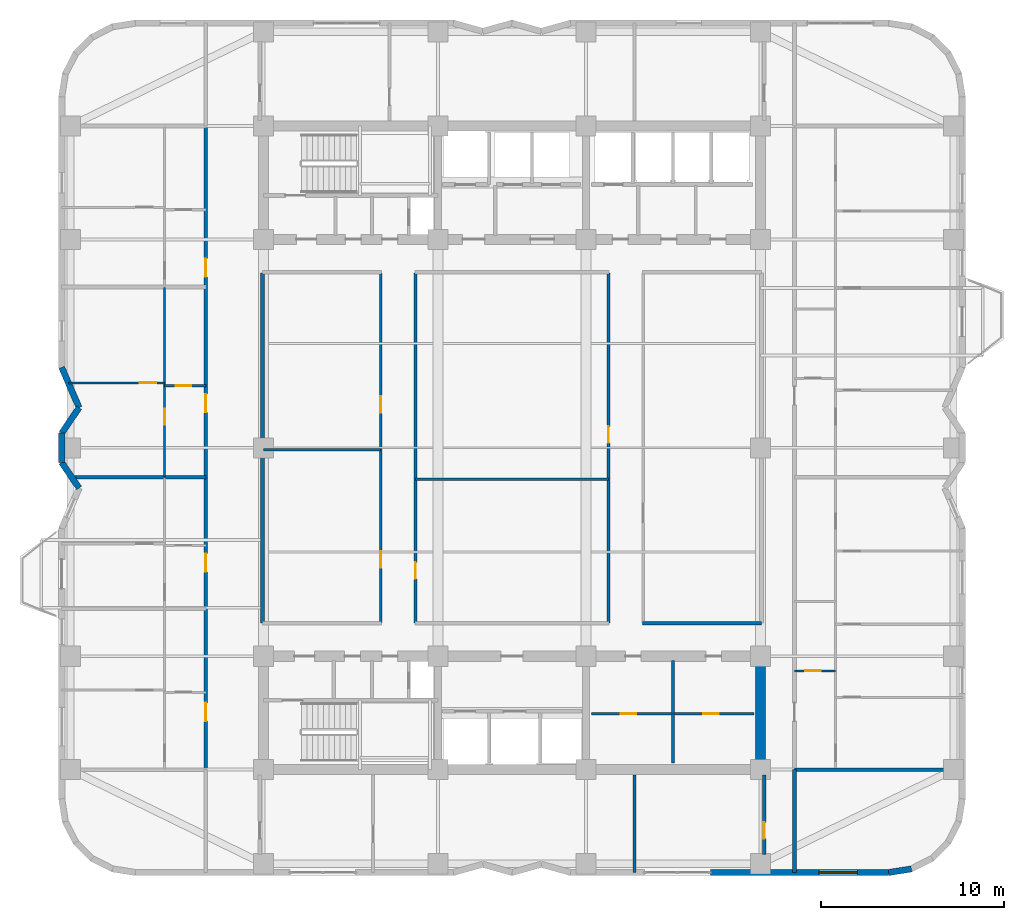
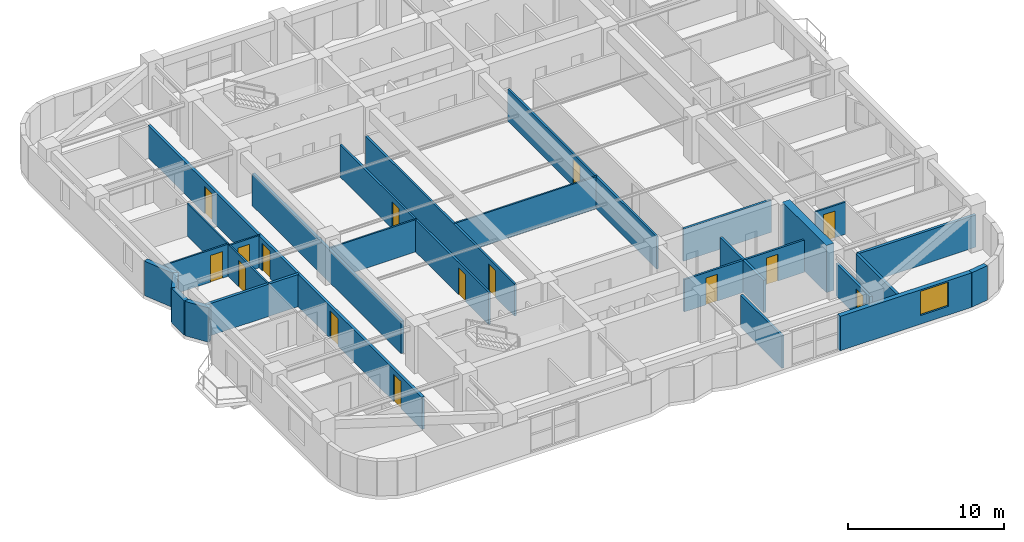
# One storey, part 9 of 15: 27 walls, 15 doors, 1 window, 16 openings.
"""IFC4 building model written with IfcOpenShell, lengths in metres."""

import ifcopenshell
import ifcopenshell.guid

model = None  # the IFC model being written
_history = None  # IfcOwnerHistory: only IFC2X3 demands one
_inside = {}  # id of a spatial element -> (the spatial element, [elements in it])
_under = {}  # id of a project, library or spatial element -> (it, [spatial elements below it])
_declared = {}  # id of a project -> (the project, [libraries it declares])
_typed = {}  # id of a type object -> (the type object, [elements of that type])
_made_of = {}  # id of a material, layer set ... -> (it, [elements and type objects made of it])


def new_model(schema):
    """Start an empty IFC model of exactly this schema.

    Asked for "IFC4X3", IfcOpenShell would pick the latest addendum, in which some entities
    have other attributes; the version numbers below select the first issue.
    IFC2X3 requires an IfcOwnerHistory on every rooted entity: one is made here for all.
    """
    global model, _history
    if schema == "IFC4X3":
        model = ifcopenshell.file(schema_version=(4, 3, 0, 0))
    else:
        model = ifcopenshell.file(schema=schema)
    _inside.clear()
    _under.clear()
    _declared.clear()
    _typed.clear()
    _made_of.clear()
    _history = None
    if model.schema == "IFC2X3":
        org = make("IfcOrganization", Name="unknown")
        user = make(
            "IfcPersonAndOrganization",
            ThePerson=make("IfcPerson", FamilyName="unknown"),
            TheOrganization=org,
        )
        app = make(
            "IfcApplication",
            ApplicationDeveloper=org,
            Version="unknown",
            ApplicationFullName="unknown",
            ApplicationIdentifier="unknown",
        )
        _history = make(
            "IfcOwnerHistory",
            OwningUser=user,
            OwningApplication=app,
            ChangeAction="ADDED",
            CreationDate=0,
        )
    return model


def make(cls, **values):
    """One entity of the class cls with the attributes given. An attribute that is None is left unset."""
    return model.create_entity(
        cls, **{name: value for name, value in values.items() if value is not None}
    )


def rooted(cls, **values):
    """An entity with a GlobalId (a new one), such as an element, a storey or a relation."""
    return make(cls, GlobalId=ifcopenshell.guid.new(), OwnerHistory=_history, **values)


def si_unit(unit_type, name, prefix=None):
    """IfcSIUnit, for example si_unit("LENGTHUNIT", "METRE", prefix="MILLI")."""
    return make("IfcSIUnit", UnitType=unit_type, Prefix=prefix, Name=name)


def assignment(units):
    """IfcUnitAssignment: the units of a project."""
    return None if units is None else make("IfcUnitAssignment", Units=units)


def point(xyz):
    """IfcCartesianPoint."""
    return None if xyz is None else make("IfcCartesianPoint", Coordinates=xyz)


def direction(xyz):
    """IfcDirection."""
    return None if xyz is None else make("IfcDirection", DirectionRatios=xyz)


def frame(location, z_axis=None, x_axis=None):
    """IfcAxis2Placement3D, a coordinate frame: its origin and axes. An axis left out is left unset."""
    return make(
        "IfcAxis2Placement3D",
        Location=point(location),
        Axis=direction(z_axis),
        RefDirection=direction(x_axis),
    )


def frame_2d(location, x_axis=None):
    """IfcAxis2Placement2D, a coordinate frame in the plane: its origin and x axis."""
    return make(
        "IfcAxis2Placement2D", Location=point(location), RefDirection=direction(x_axis)
    )


def origin():
    """The frame at (0, 0, 0) with its axes left unset."""
    return frame((0.0, 0.0, 0.0))


def place(relative_to, where):
    """IfcLocalPlacement: puts the frame where relative to a parent placement (None: the world)."""
    return make(
        "IfcLocalPlacement", PlacementRelTo=relative_to, RelativePlacement=where
    )


def context(
    kind, dimensions, precision=None, world=None, true_north=None, identifier=None
):
    """IfcGeometricRepresentationContext, for example the 3D "Model" context."""
    return make(
        "IfcGeometricRepresentationContext",
        ContextIdentifier=identifier,
        ContextType=kind,
        CoordinateSpaceDimension=dimensions,
        Precision=precision,
        WorldCoordinateSystem=world,
        TrueNorth=true_north,
    )


def subcontext(parent, identifier, kind, view, scale=None):
    """IfcGeometricRepresentationSubContext, for example "Body" below "Model"."""
    return make(
        "IfcGeometricRepresentationSubContext",
        ContextIdentifier=identifier,
        ContextType=kind,
        ParentContext=parent,
        TargetScale=scale,
        TargetView=view,
    )


def project(units=None, contexts=None):
    """IfcProject with its units and contexts."""
    return rooted(
        "IfcProject",
        Name="project",
        RepresentationContexts=contexts,
        UnitsInContext=assignment(units),
    )


def spatial(cls, under=None, at=None, **own):
    """A site, building, storey or space (cls), placed at a placement, below another one or the project."""
    s = rooted(cls, ObjectPlacement=at, **own)
    if under is not None:
        _under.setdefault(under.id(), (under, []))[1].append(s)
    return s


def profile(cls, at=None, kind="AREA", **sizes):
    """A parametric profile (cls). Its sizes go by their IFC names, for example OverallWidth=200.0."""
    return make(cls, ProfileType=kind, Position=at, **sizes)


def rectangle(**sizes):
    """IfcRectangleProfileDef."""
    return profile("IfcRectangleProfileDef", **sizes)


def extrude(swept, where, along, depth):
    """IfcExtrudedAreaSolid: the profile swept, set in the frame where, extruded along a direction by depth."""
    return make(
        "IfcExtrudedAreaSolid",
        SweptArea=swept,
        Position=where,
        ExtrudedDirection=direction(along),
        Depth=depth,
    )


def shape(context_of_items, identifier, shape_type, items):
    """IfcShapeRepresentation: the items that make up one representation, for example the "Body"."""
    return make(
        "IfcShapeRepresentation",
        ContextOfItems=context_of_items,
        RepresentationIdentifier=identifier,
        RepresentationType=shape_type,
        Items=items,
    )


def material(Name=None, Category=None):
    """IfcMaterial."""
    return make("IfcMaterial", Name=Name, Category=Category)


def layer(
    of_material, thickness, ventilated=None, Name=None, Category=None, Priority=None
):
    """IfcMaterialLayer: one layer of a wall or slab, of a material (None: an air gap)."""
    return make(
        "IfcMaterialLayer",
        Material=of_material,
        LayerThickness=thickness,
        IsVentilated=ventilated,
        Name=Name,
        Category=Category,
        Priority=Priority,
    )


def layer_set(layers, Name=None):
    """IfcMaterialLayerSet."""
    return make("IfcMaterialLayerSet", MaterialLayers=layers, LayerSetName=Name)


def made_of(thing, what):
    """Note that an element or type object is made of a material, layer set ...; save() writes the relation."""
    if what is not None:
        _made_of.setdefault(what.id(), (what, []))[1].append(thing)
    return thing


def type_object(cls, material=None, **own):
    """A type object (cls), such as IfcWallType, which elements share."""
    return made_of(rooted(cls, **own), material)


def element(
    cls,
    number,
    at=None,
    inside=None,
    cuts=None,
    type_object=None,
    material=None,
    context=None,
    identifier="Body",
    shape_type=None,
    held_by="IfcProductDefinitionShape",
    body=None,
    shapes=None,
    **own,
):
    """One element of the class cls, such as IfcWall. Its Tag is "e" and its number.

    at: its placement. inside: the storey or other place that contains it. cuts: it is an
    opening in that element (IfcRelVoidsElement). A single representation is given by context,
    identifier, shape_type and body (its items); several are given by shapes. held_by: the class
    of the entity that holds the representations. save() writes the other relations.
    """
    e = rooted(cls, Tag="e%d" % number, ObjectPlacement=at, **own)
    if body is not None:
        shapes = [shape(context, identifier, shape_type, body)]
    if shapes is not None:
        e.Representation = make(held_by, Representations=shapes)
    if inside is not None:
        _inside.setdefault(inside.id(), (inside, []))[1].append(e)
    if cuts is not None:
        rooted(
            "IfcRelVoidsElement", RelatingBuildingElement=cuts, RelatedOpeningElement=e
        )
    if type_object is not None:
        _typed.setdefault(type_object.id(), (type_object, []))[1].append(e)
    return made_of(e, material)


def fill(opening, filler):
    """IfcRelFillsElement: the door or window that sits in an opening."""
    return rooted(
        "IfcRelFillsElement",
        RelatingOpeningElement=opening,
        RelatedBuildingElement=filler,
    )


def aggregate(whole, parts):
    """IfcRelAggregates: a whole, such as a stair, and the parts it consists of."""
    return rooted("IfcRelAggregates", RelatingObject=whole, RelatedObjects=parts)


def save(model, path):
    """Write the relations noted so far, then the file.

    IfcRelAggregates (storeys below a building ...), IfcRelContainedInSpatialStructure (elements
    in a storey), IfcRelDefinesByType, IfcRelAssociatesMaterial and IfcRelDeclares: one each for
    every whole, place, type object, material and project.
    """
    for whole, parts in _under.values():
        aggregate(whole, parts)
    for where, things in _inside.values():
        rooted(
            "IfcRelContainedInSpatialStructure",
            RelatedElements=things,
            RelatingStructure=where,
        )
    for kind, things in _typed.values():
        rooted("IfcRelDefinesByType", RelatedObjects=things, RelatingType=kind)
    for what, things in _made_of.values():
        rooted("IfcRelAssociatesMaterial", RelatedObjects=things, RelatingMaterial=what)
    for by, libraries in _declared.values():
        rooted("IfcRelDeclares", RelatingContext=by, RelatedDefinitions=libraries)
    model.write(path)


model = new_model("IFC4")

# Units and contexts
model_context = context("Model", 3, precision=1e-05, world=origin(), true_north=direction((0.0, 1.0)))
body_context = subcontext(model_context, "Body", "Model", "MODEL_VIEW")
ifc_project = project(units=[si_unit("LENGTHUNIT", "METRE"), si_unit("AREAUNIT", "SQUARE_METRE"), si_unit("VOLUMEUNIT", "CUBIC_METRE"), si_unit("PLANEANGLEUNIT", "RADIAN"), si_unit("MASSUNIT", "GRAM", prefix="KILO")], contexts=[model_context])

# Site, building, storey
site_placement = place(None, origin())
site = spatial("IfcSite", under=ifc_project, at=site_placement, CompositionType="ELEMENT")
building_placement = place(site_placement, origin())
building = spatial("IfcBuilding", under=site, at=building_placement, Name="Svetorya Sky Lyceum", CompositionType="ELEMENT")
storey_placement = place(building_placement, frame((0.0, 0.0, 99.39990234375)))
storey = spatial("IfcBuildingStorey", under=building, at=storey_placement, Name="L24", CompositionType="ELEMENT", Elevation=99.39990234375)

# Wall
ifc_material_1 = material(Name="Concrete C60/75", Category="concrete")
ifc_layer_1 = layer(ifc_material_1, 0.550048828125)
ifc_layer_set_1 = layer_set([ifc_layer_1], Name="Concrete C60/75")
wall_type_1 = type_object("IfcWallType", Name="WL-CORE-550", PredefinedType="SHEAR", material=ifc_layer_set_1)
wall_1_placement = place(storey_placement, frame((52.800048828125, 10.875, 0.0), z_axis=(0.0, 0.0, 1.0), x_axis=(0.0, 1.0, 0.0)))
element("IfcWall", 1, at=wall_1_placement, inside=storey, type_object=wall_type_1, Name="L24 SC East Core Shear Wall", PredefinedType="SHEAR", context=body_context, shape_type="SweptSolid", body=[
    extrude(rectangle(XDim=5.64990234375, YDim=0.550048828125, at=frame_2d((2.824951171875, 0.0))), origin(), (0.0, 0.0, 1.0), 3.7001953125),
])

# Wall, opening, window
ifc_material_2 = material(Name="Putilovo limestone rainscreen on autoclaved cellular masonry", Category="masonry")
ifc_layer_2 = layer(ifc_material_2, 0.340087890625)
ifc_layer_set_2 = layer_set([ifc_layer_2], Name="Putilovo limestone rainscreen on autoclaved cellular masonry")
wall_type_2 = type_object("IfcWallType", Name="WL-EXT-340", PredefinedType="SOLIDWALL", material=ifc_layer_set_2)
wall_2_placement = place(storey_placement, frame((50.050048828125, 4.969970703125, 0.0), z_axis=(0.0, 0.0, 1.0), x_axis=(1.0, 0.0, 0.0)))
wall_2 = element("IfcWall", 2, at=wall_2_placement, inside=storey, type_object=wall_type_2, Name="L24 Limestone Exterior Wall 11B", PredefinedType="SOLIDWALL", context=body_context, shape_type="SweptSolid", body=[
    extrude(rectangle(XDim=9.75, YDim=0.340087890625, at=frame_2d((4.875, 0.0))), origin(), (0.0, 0.0, 1.0), 2.7001953125),
])
opening_1_placement = place(wall_2_placement, frame((5.9375, 0.0, 0.679931640625)))
opening_1 = element("IfcOpeningElement", 3, at=opening_1_placement, cuts=wall_2, Name="Opening W-R0", PredefinedType="OPENING", context=body_context, shape_type="SweptSolid", body=[
    extrude(rectangle(XDim=2.10009765625, YDim=1.89990234375, at=frame_2d((1.050048828125, 0.949951171875))), frame((0.0, 0.179931640625, 0.0), z_axis=(0.0, -1.0, 0.0), x_axis=(1.0, 0.0, 0.0)), (0.0, 0.0, 1.0), 0.360107421875),
])
ifc_material_3 = material(Name="Thermally broken aluminium frame with triple low-E glazing", Category="aluminium")
window_type = type_object("IfcWindowType", Name="WN-RES-210", PartitioningType="TRIPLE_PANEL_VERTICAL", PredefinedType="WINDOW", material=ifc_material_3)
window_placement = place(opening_1_placement, origin())
window = element("IfcWindow", 4, at=window_placement, inside=storey, type_object=window_type, Name="L24 Facade Window W-R0.11B.1", OverallHeight=1.89990234375, OverallWidth=2.10009765625, PartitioningType="SINGLE_PANEL", PredefinedType="WINDOW", context=body_context, shape_type="SweptSolid", body=[
    extrude(rectangle(XDim=2.10009765625, YDim=1.89990234375, at=frame_2d((1.050048828125, 0.949951171875))), frame((0.0, 0.030029296875, 0.0), z_axis=(0.0, -1.0, 0.0), x_axis=(1.0, 0.0, 0.0)), (0.0, 0.0, 1.0), 0.06005859375),
])
fill(opening_1, window)

# Walls
wall_3_placement = place(storey_placement, frame((59.800048828125, 4.969970703125, 0.0), z_axis=(0.0, 0.0, 1.0), x_axis=(0.987685918112, 0.15644975923, 0.0)))
element("IfcWall", 5, at=wall_3_placement, inside=storey, type_object=wall_type_2, Name="L24 Limestone Exterior Wall 12M", PredefinedType="SOLIDWALL", context=body_context, shape_type="SweptSolid", body=[
    extrude(rectangle(XDim=1.260986328125, YDim=0.340087890625, at=frame_2d((0.63037109375, 0.0))), origin(), (0.0, 0.0, 1.0), 2.7001953125),
])
wall_4_placement = place(storey_placement, frame((14.570068359375, 32.60009765625, 0.0), z_axis=(0.0, 0.0, 1.0), x_axis=(0.396389181543, -0.918082576218, 0.0)))
element("IfcWall", 6, at=wall_4_placement, inside=storey, type_object=wall_type_2, Name="L24 Limestone Exterior Wall 41M", PredefinedType="SOLIDWALL", context=body_context, shape_type="SweptSolid", body=[
    extrude(rectangle(XDim=2.396484375, YDim=0.340087890625, at=frame_2d((1.1982421875, 0.0))), origin(), (0.0, 0.0, 1.0), 2.7001953125),
])
wall_5_placement = place(storey_placement, frame((15.52001953125, 30.39990234375, 0.0), z_axis=(0.0, 0.0, 1.0), x_axis=(-0.561508476251, -0.827470985049, 0.0)))
element("IfcWall", 7, at=wall_5_placement, inside=storey, type_object=wall_type_2, Name="L24 Limestone Exterior Wall 42M", PredefinedType="SOLIDWALL", context=body_context, shape_type="SweptSolid", body=[
    extrude(rectangle(XDim=1.69189453125, YDim=0.340087890625, at=frame_2d((0.845947265625, 0.0))), origin(), (0.0, 0.0, 1.0), 2.7001953125),
])
wall_6_placement = place(storey_placement, frame((14.570068359375, 29.0, 0.0), z_axis=(0.0, 0.0, 1.0), x_axis=(0.0, -1.0, 0.0)))
element("IfcWall", 8, at=wall_6_placement, inside=storey, type_object=wall_type_2, Name="L24 Limestone Exterior Wall 43M", PredefinedType="SOLIDWALL", context=body_context, shape_type="SweptSolid", body=[
    extrude(rectangle(XDim=1.60009765625, YDim=0.340087890625, at=frame_2d((0.800048828125, 0.0))), origin(), (0.0, 0.0, 1.0), 2.7001953125),
])
wall_7_placement = place(storey_placement, frame((14.570068359375, 27.39990234375, 0.0), z_axis=(0.0, 0.0, 1.0), x_axis=(0.561508476251, -0.827470985049, 0.0)))
element("IfcWall", 9, at=wall_7_placement, inside=storey, type_object=wall_type_2, Name="L24 Limestone Exterior Wall 44M", PredefinedType="SOLIDWALL", context=body_context, shape_type="SweptSolid", body=[
    extrude(rectangle(XDim=1.69189453125, YDim=0.340087890625, at=frame_2d((0.845947265625, 0.0))), origin(), (0.0, 0.0, 1.0), 2.7001953125),
])
ifc_material_4 = material(Name="Twin-stud galvanized framing with double fireboard", Category="gypsum")
ifc_layer_3 = layer(ifc_material_4, 0.1201171875)
ifc_layer_set_3 = layer_set([ifc_layer_3], Name="Twin-stud galvanized framing with double fireboard")
wall_type_3 = type_object("IfcWallType", Name="WL-PART-120", PredefinedType="PARTITIONING", material=ifc_layer_set_3)
wall_8_placement = place(storey_placement, frame((25.60009765625, 28.10009765625, 0.0), z_axis=(0.0, 0.0, 1.0), x_axis=(1.0, 0.0, 0.0)))
element("IfcWall", 10, at=wall_8_placement, inside=storey, type_object=wall_type_3, Name="L24 Interior Partition ISL-HMW", PredefinedType="PARTITIONING", context=body_context, shape_type="SweptSolid", body=[
    extrude(rectangle(XDim=6.419921875, YDim=0.1201171875, at=frame_2d((3.2099609375, 0.0))), origin(), (0.0, 0.0, 1.0), 2.530029296875),
])
wall_9_placement = place(storey_placement, frame((33.919921875, 26.477294921875, 0.0), z_axis=(0.0, 0.0, 1.0), x_axis=(1.0, 0.0, 0.0)))
element("IfcWall", 11, at=wall_9_placement, inside=storey, type_object=wall_type_3, Name="L24 Interior Partition ISL-HMIDE", PredefinedType="PARTITIONING", context=body_context, shape_type="SweptSolid", body=[
    extrude(rectangle(XDim=10.56005859375, YDim=0.1201171875, at=frame_2d((5.280029296875, 0.0))), origin(), (0.0, 0.0, 1.0), 2.530029296875),
])

# Wall, opening, door
wall_10_placement = place(storey_placement, frame((20.199951171875, 31.590087890625, 0.0), z_axis=(0.0, 0.0, 1.0), x_axis=(1.0, 0.0, 0.0)))
wall_10 = element("IfcWall", 12, at=wall_10_placement, inside=storey, type_object=wall_type_3, Name="L24 Interior Partition W3-WH1", PredefinedType="PARTITIONING", context=body_context, shape_type="SweptSolid", body=[
    extrude(rectangle(XDim=2.25, YDim=0.1201171875, at=frame_2d((1.125, 0.0))), origin(), (0.0, 0.0, 1.0), 2.530029296875),
])
opening_2_placement = place(wall_10_placement, frame((0.60009765625, 0.0, 0.0)))
opening_2 = element("IfcOpeningElement", 13, at=opening_2_placement, cuts=wall_10, Name="Opening D-BT1", PredefinedType="OPENING", context=body_context, shape_type="SweptSolid", body=[
    extrude(rectangle(XDim=0.85009765625, YDim=2.10009765625, at=frame_2d((0.425048828125, 1.050048828125))), frame((0.0, 0.070068359375, 0.0), z_axis=(0.0, -1.0, 0.0), x_axis=(1.0, 0.0, 0.0)), (0.0, 0.0, 1.0), 0.14013671875),
])
ifc_material_5 = material(Name="Moisture-resistant laminate bathroom door")
door_type_1 = type_object("IfcDoorType", Name="DR-WET-850", OperationType="SINGLE_SWING_LEFT", PredefinedType="DOOR", material=ifc_material_5)
door_1_placement = place(opening_2_placement, origin())
door_1 = element("IfcDoor", 14, at=door_1_placement, inside=storey, type_object=door_type_1, Name="Apartment W3 Bathroom Door", OperationType="SINGLE_SWING_LEFT", OverallHeight=2.10009765625, OverallWidth=0.85009765625, PredefinedType="DOOR", context=body_context, shape_type="SweptSolid", body=[
    extrude(rectangle(XDim=0.85009765625, YDim=2.10009765625, at=frame_2d((0.425048828125, 1.050048828125))), frame((0.0, 0.02490234375, 0.0), z_axis=(0.0, -1.0, 0.0), x_axis=(1.0, 0.0, 0.0)), (0.0, 0.0, 1.0), 0.050048828125),
])
fill(opening_2, door_1)

wall_11_placement = place(storey_placement, frame((14.93701171875, 31.75, 0.0), z_axis=(0.0, 0.0, 1.0), x_axis=(1.0, 0.0, 0.0)))
wall_11 = element("IfcWall", 15, at=wall_11_placement, inside=storey, type_object=wall_type_3, Name="L24 Interior Partition W3-WL1", PredefinedType="PARTITIONING", context=body_context, shape_type="SweptSolid", body=[
    extrude(rectangle(XDim=5.262939453125, YDim=0.1201171875, at=frame_2d((2.63134765625, 0.0))), origin(), (0.0, 0.0, 1.0), 2.530029296875),
])
opening_3_placement = place(wall_11_placement, frame((3.9130859375, 0.0, 0.0)))
opening_3 = element("IfcOpeningElement", 16, at=opening_3_placement, cuts=wall_11, Name="Opening D-RM1", PredefinedType="OPENING", context=body_context, shape_type="SweptSolid", body=[
    extrude(rectangle(XDim=0.89990234375, YDim=2.10009765625, at=frame_2d((0.449951171875, 1.050048828125))), frame((0.0, 0.070068359375, 0.0), z_axis=(0.0, -1.0, 0.0), x_axis=(1.0, 0.0, 0.0)), (0.0, 0.0, 1.0), 0.14013671875),
])
ifc_material_6 = material(Name="Lacquered birch veneer internal door")
door_type_2 = type_object("IfcDoorType", Name="DR-INT-900", OperationType="SINGLE_SWING_LEFT", PredefinedType="DOOR", material=ifc_material_6)
door_2_placement = place(opening_3_placement, origin())
door_2 = element("IfcDoor", 17, at=door_2_placement, inside=storey, type_object=door_type_2, Name="Apartment W3 Bedroom 1 Door", OperationType="SINGLE_SWING_LEFT", OverallHeight=2.10009765625, OverallWidth=0.89990234375, PredefinedType="DOOR", context=body_context, shape_type="SweptSolid", body=[
    extrude(rectangle(XDim=0.89990234375, YDim=2.10009765625, at=frame_2d((0.449951171875, 1.050048828125))), frame((0.0, 0.02490234375, 0.0), z_axis=(0.0, -1.0, 0.0), x_axis=(1.0, 0.0, 0.0)), (0.0, 0.0, 1.0), 0.050048828125),
])
fill(opening_3, door_2)

wall_12_placement = place(storey_placement, frame((20.199951171875, 26.639892578125, 0.0), z_axis=(0.0, 0.0, 1.0), x_axis=(0.0, 1.0, 0.0)))
wall_12 = element("IfcWall", 18, at=wall_12_placement, inside=storey, type_object=wall_type_3, Name="L24 Interior Partition W3-WV", PredefinedType="PARTITIONING", context=body_context, shape_type="SweptSolid", body=[
    extrude(rectangle(XDim=10.320068359375, YDim=0.1201171875, at=frame_2d((5.16015625, 0.0))), origin(), (0.0, 0.0, 1.0), 2.530029296875),
])
opening_4_placement = place(wall_12_placement, frame((2.81005859375, 0.0, 0.0)))
opening_4 = element("IfcOpeningElement", 19, at=opening_4_placement, cuts=wall_12, Name="Opening D-RM1", PredefinedType="OPENING", context=body_context, shape_type="SweptSolid", body=[
    extrude(rectangle(XDim=0.89990234375, YDim=2.10009765625, at=frame_2d((0.449951171875, 1.050048828125))), frame((0.0, 0.070068359375, 0.0), z_axis=(0.0, -1.0, 0.0), x_axis=(1.0, 0.0, 0.0)), (0.0, 0.0, 1.0), 0.14013671875),
])
door_3_placement = place(opening_4_placement, origin())
door_3 = element("IfcDoor", 20, at=door_3_placement, inside=storey, type_object=door_type_2, Name="Apartment W3 Living Door", OperationType="SINGLE_SWING_RIGHT", OverallHeight=2.10009765625, OverallWidth=0.89990234375, PredefinedType="DOOR", context=body_context, shape_type="SweptSolid", body=[
    extrude(rectangle(XDim=0.89990234375, YDim=2.10009765625, at=frame_2d((0.449951171875, 1.050048828125))), frame((0.0, 0.02490234375, 0.0), z_axis=(0.0, -1.0, 0.0), x_axis=(1.0, 0.0, 0.0)), (0.0, 0.0, 1.0), 0.050048828125),
])
fill(opening_4, door_3)

wall_13_placement = place(storey_placement, frame((54.64990234375, 16.0, 0.0), z_axis=(0.0, 0.0, 1.0), x_axis=(1.0, 0.0, 0.0)))
wall_13 = element("IfcWall", 21, at=wall_13_placement, inside=storey, type_object=wall_type_3, Name="L24 Interior Partition E1-WH1", PredefinedType="PARTITIONING", context=body_context, shape_type="SweptSolid", body=[
    extrude(rectangle(XDim=2.25, YDim=0.1201171875, at=frame_2d((1.125, 0.0))), origin(), (0.0, 0.0, 1.0), 2.530029296875),
])
opening_5_placement = place(wall_13_placement, frame((0.60009765625, 0.0, 0.0)))
opening_5 = element("IfcOpeningElement", 22, at=opening_5_placement, cuts=wall_13, Name="Opening D-BT1", PredefinedType="OPENING", context=body_context, shape_type="SweptSolid", body=[
    extrude(rectangle(XDim=0.85009765625, YDim=2.10009765625, at=frame_2d((0.425048828125, 1.050048828125))), frame((0.0, 0.070068359375, 0.0), z_axis=(0.0, -1.0, 0.0), x_axis=(1.0, 0.0, 0.0)), (0.0, 0.0, 1.0), 0.14013671875),
])
door_4_placement = place(opening_5_placement, origin())
door_4 = element("IfcDoor", 23, at=door_4_placement, inside=storey, type_object=door_type_1, Name="Apartment E1 Bathroom Door", OperationType="SINGLE_SWING_RIGHT", OverallHeight=2.10009765625, OverallWidth=0.85009765625, PredefinedType="DOOR", context=body_context, shape_type="SweptSolid", body=[
    extrude(rectangle(XDim=0.85009765625, YDim=2.10009765625, at=frame_2d((0.425048828125, 1.050048828125))), frame((0.0, 0.02490234375, 0.0), z_axis=(0.0, -1.0, 0.0), x_axis=(1.0, 0.0, 0.0)), (0.0, 0.0, 1.0), 0.050048828125),
])
fill(opening_5, door_4)

ifc_material_7 = material(Name="Autoclaved cellular masonry blockwork with acoustic render", Category="masonry")
ifc_layer_4 = layer(ifc_material_7, 0.14990234375)
ifc_layer_set_4 = layer_set([ifc_layer_4], Name="Autoclaved cellular masonry blockwork with acoustic render")
wall_type_4 = type_object("IfcWallType", Name="WL-PART-150", PredefinedType="PARTITIONING", material=ifc_layer_set_4)
wall_14_placement = place(storey_placement, frame((43.550048828125, 13.64990234375, 0.0), z_axis=(0.0, 0.0, 1.0), x_axis=(1.0, 0.0, 0.0)))
wall_14 = element("IfcWall", 24, at=wall_14_placement, inside=storey, type_object=wall_type_4, Name="L24 Interior Partition SC-LV7-HW", PredefinedType="PARTITIONING", context=body_context, shape_type="SweptSolid", body=[
    extrude(rectangle(XDim=4.39990234375, YDim=0.14990234375, at=frame_2d((2.199951171875, 0.0))), origin(), (0.0, 0.0, 1.0), 2.530029296875),
])
opening_6_placement = place(wall_14_placement, frame((1.60009765625, 0.0, 0.0)))
opening_6 = element("IfcOpeningElement", 25, at=opening_6_placement, cuts=wall_14, Name="Opening D-CWC1", PredefinedType="OPENING", context=body_context, shape_type="SweptSolid", body=[
    extrude(rectangle(XDim=0.85009765625, YDim=2.10009765625, at=frame_2d((0.425048828125, 1.050048828125))), frame((0.0, 0.0849609375, 0.0), z_axis=(0.0, -1.0, 0.0), x_axis=(1.0, 0.0, 0.0)), (0.0, 0.0, 1.0), 0.169921875),
])
ifc_material_8 = material(Name="Fire-rated galvanized steel core service closet door", Category="steel")
door_type_3 = type_object("IfcDoorType", Name="DR-CWET-850", OperationType="SINGLE_SWING_LEFT", PredefinedType="DOOR", material=ifc_material_8)
door_5_placement = place(opening_6_placement, origin())
door_5 = element("IfcDoor", 26, at=door_5_placement, inside=storey, type_object=door_type_3, Name="L24 South Electrical Room Door", OperationType="SINGLE_SWING_LEFT", OverallHeight=2.10009765625, OverallWidth=0.85009765625, PredefinedType="DOOR", context=body_context, shape_type="SweptSolid", body=[
    extrude(rectangle(XDim=0.85009765625, YDim=2.10009765625, at=frame_2d((0.425048828125, 1.050048828125))), frame((0.0, 0.02490234375, 0.0), z_axis=(0.0, -1.0, 0.0), x_axis=(1.0, 0.0, 0.0)), (0.0, 0.0, 1.0), 0.050048828125),
])
fill(opening_6, door_5)

wall_15_placement = place(storey_placement, frame((48.050048828125, 13.64990234375, 0.0), z_axis=(0.0, 0.0, 1.0), x_axis=(1.0, 0.0, 0.0)))
wall_15 = element("IfcWall", 27, at=wall_15_placement, inside=storey, type_object=wall_type_4, Name="L24 Interior Partition SC-LV7-HE", PredefinedType="PARTITIONING", context=body_context, shape_type="SweptSolid", body=[
    extrude(rectangle(XDim=4.39990234375, YDim=0.14990234375, at=frame_2d((2.199951171875, 0.0))), origin(), (0.0, 0.0, 1.0), 2.530029296875),
])
opening_7_placement = place(wall_15_placement, frame((1.60009765625, 0.0, 0.0)))
opening_7 = element("IfcOpeningElement", 28, at=opening_7_placement, cuts=wall_15, Name="Opening D-CWC1", PredefinedType="OPENING", context=body_context, shape_type="SweptSolid", body=[
    extrude(rectangle(XDim=0.85009765625, YDim=2.10009765625, at=frame_2d((0.425048828125, 1.050048828125))), frame((0.0, 0.0849609375, 0.0), z_axis=(0.0, -1.0, 0.0), x_axis=(1.0, 0.0, 0.0)), (0.0, 0.0, 1.0), 0.169921875),
])
door_6_placement = place(opening_7_placement, origin())
door_6 = element("IfcDoor", 29, at=door_6_placement, inside=storey, type_object=door_type_3, Name="L24 South Server Closet Door", OperationType="SINGLE_SWING_RIGHT", OverallHeight=2.10009765625, OverallWidth=0.85009765625, PredefinedType="DOOR", context=body_context, shape_type="SweptSolid", body=[
    extrude(rectangle(XDim=0.85009765625, YDim=2.10009765625, at=frame_2d((0.425048828125, 1.050048828125))), frame((0.0, 0.02490234375, 0.0), z_axis=(0.0, -1.0, 0.0), x_axis=(1.0, 0.0, 0.0)), (0.0, 0.0, 1.0), 0.050048828125),
])
fill(opening_7, door_6)

# Wall, openings, doors
wall_16_placement = place(storey_placement, frame((32.02001953125, 18.6298828125, 0.0), z_axis=(0.0, 0.0, 1.0), x_axis=(0.0, 1.0, 0.0)))
wall_16 = element("IfcWall", 30, at=wall_16_placement, inside=storey, type_object=wall_type_4, Name="L24 Interior Partition ISL-WW", PredefinedType="PARTITIONING", context=body_context, shape_type="SweptSolid", body=[
    extrude(rectangle(XDim=19.14013671875, YDim=0.14990234375, at=frame_2d((9.570068359375, 0.0))), origin(), (0.0, 0.0, 1.0), 2.530029296875),
])
opening_8_placement = place(wall_16_placement, frame((3.0, 0.0, 0.0)))
opening_8 = element("IfcOpeningElement", 31, at=opening_8_placement, cuts=wall_16, Name="Opening D-RM1", PredefinedType="OPENING", context=body_context, shape_type="SweptSolid", body=[
    extrude(rectangle(XDim=0.89990234375, YDim=2.10009765625, at=frame_2d((0.449951171875, 1.050048828125))), frame((0.0, 0.0849609375, 0.0), z_axis=(0.0, -1.0, 0.0), x_axis=(1.0, 0.0, 0.0)), (0.0, 0.0, 1.0), 0.169921875),
])
opening_9_placement = place(wall_16_placement, frame((11.5, 0.0, 0.0)))
opening_9 = element("IfcOpeningElement", 32, at=opening_9_placement, cuts=wall_16, Name="Opening D-RM1", PredefinedType="OPENING", context=body_context, shape_type="SweptSolid", body=[
    extrude(rectangle(XDim=0.89990234375, YDim=2.10009765625, at=frame_2d((0.449951171875, 1.050048828125))), frame((0.0, 0.0849609375, 0.0), z_axis=(0.0, -1.0, 0.0), x_axis=(1.0, 0.0, 0.0)), (0.0, 0.0, 1.0), 0.169921875),
])
door_7_placement = place(opening_8_placement, origin())
door_7 = element("IfcDoor", 33, at=door_7_placement, inside=storey, type_object=door_type_2, Name="L24 Reading Door", OperationType="SINGLE_SWING_RIGHT", OverallHeight=2.10009765625, OverallWidth=0.89990234375, PredefinedType="DOOR", context=body_context, shape_type="SweptSolid", body=[
    extrude(rectangle(XDim=0.89990234375, YDim=2.10009765625, at=frame_2d((0.449951171875, 1.050048828125))), frame((0.0, 0.02490234375, 0.0), z_axis=(0.0, -1.0, 0.0), x_axis=(1.0, 0.0, 0.0)), (0.0, 0.0, 1.0), 0.050048828125),
])
fill(opening_8, door_7)
door_8_placement = place(opening_9_placement, origin())
door_8 = element("IfcDoor", 34, at=door_8_placement, inside=storey, type_object=door_type_2, Name="L24 Music Door", OperationType="SINGLE_SWING_LEFT", OverallHeight=2.10009765625, OverallWidth=0.89990234375, PredefinedType="DOOR", context=body_context, shape_type="SweptSolid", body=[
    extrude(rectangle(XDim=0.89990234375, YDim=2.10009765625, at=frame_2d((0.449951171875, 1.050048828125))), frame((0.0, 0.02490234375, 0.0), z_axis=(0.0, -1.0, 0.0), x_axis=(1.0, 0.0, 0.0)), (0.0, 0.0, 1.0), 0.050048828125),
])
fill(opening_9, door_8)

# Wall, opening, door
wall_17_placement = place(storey_placement, frame((33.919921875, 18.6298828125, 0.0), z_axis=(0.0, 0.0, 1.0), x_axis=(0.0, 1.0, 0.0)))
wall_17 = element("IfcWall", 35, at=wall_17_placement, inside=storey, type_object=wall_type_4, Name="L24 Interior Partition ISL-WE", PredefinedType="PARTITIONING", context=body_context, shape_type="SweptSolid", body=[
    extrude(rectangle(XDim=19.14013671875, YDim=0.14990234375, at=frame_2d((9.570068359375, 0.0))), origin(), (0.0, 0.0, 1.0), 2.530029296875),
])
opening_10_placement = place(wall_17_placement, frame((2.39990234375, 0.0, 0.0)))
opening_10 = element("IfcOpeningElement", 36, at=opening_10_placement, cuts=wall_17, Name="Opening D-RM1", PredefinedType="OPENING", context=body_context, shape_type="SweptSolid", body=[
    extrude(rectangle(XDim=0.89990234375, YDim=2.10009765625, at=frame_2d((0.449951171875, 1.050048828125))), frame((0.0, 0.0849609375, 0.0), z_axis=(0.0, -1.0, 0.0), x_axis=(1.0, 0.0, 0.0)), (0.0, 0.0, 1.0), 0.169921875),
])
door_9_placement = place(opening_10_placement, origin())
door_9 = element("IfcDoor", 37, at=door_9_placement, inside=storey, type_object=door_type_2, Name="L24 Office Door", OperationType="SINGLE_SWING_LEFT", OverallHeight=2.10009765625, OverallWidth=0.89990234375, PredefinedType="DOOR", context=body_context, shape_type="SweptSolid", body=[
    extrude(rectangle(XDim=0.89990234375, YDim=2.10009765625, at=frame_2d((0.449951171875, 1.050048828125))), frame((0.0, 0.02490234375, 0.0), z_axis=(0.0, -1.0, 0.0), x_axis=(1.0, 0.0, 0.0)), (0.0, 0.0, 1.0), 0.050048828125),
])
fill(opening_10, door_9)

wall_18_placement = place(storey_placement, frame((44.47998046875, 18.6298828125, 0.0), z_axis=(0.0, 0.0, 1.0), x_axis=(0.0, 1.0, 0.0)))
wall_18 = element("IfcWall", 38, at=wall_18_placement, inside=storey, type_object=wall_type_4, Name="L24 Interior Partition ISL-EW", PredefinedType="PARTITIONING", context=body_context, shape_type="SweptSolid", body=[
    extrude(rectangle(XDim=19.14013671875, YDim=0.14990234375, at=frame_2d((9.570068359375, 0.0))), origin(), (0.0, 0.0, 1.0), 2.530029296875),
])
opening_11_placement = place(wall_18_placement, frame((9.847412109375, 0.0, 0.0)))
opening_11 = element("IfcOpeningElement", 39, at=opening_11_placement, cuts=wall_18, Name="Opening D-RM1", PredefinedType="OPENING", context=body_context, shape_type="SweptSolid", body=[
    extrude(rectangle(XDim=0.89990234375, YDim=2.10009765625, at=frame_2d((0.449951171875, 1.050048828125))), frame((0.0, 0.0849609375, 0.0), z_axis=(0.0, -1.0, 0.0), x_axis=(1.0, 0.0, 0.0)), (0.0, 0.0, 1.0), 0.169921875),
])
door_10_placement = place(opening_11_placement, origin())
door_10 = element("IfcDoor", 40, at=door_10_placement, inside=storey, type_object=door_type_2, Name="L24 Meeting Door", OperationType="SINGLE_SWING_RIGHT", OverallHeight=2.10009765625, OverallWidth=0.89990234375, PredefinedType="DOOR", context=body_context, shape_type="SweptSolid", body=[
    extrude(rectangle(XDim=0.89990234375, YDim=2.10009765625, at=frame_2d((0.449951171875, 1.050048828125))), frame((0.0, 0.02490234375, 0.0), z_axis=(0.0, -1.0, 0.0), x_axis=(1.0, 0.0, 0.0)), (0.0, 0.0, 1.0), 0.050048828125),
])
fill(opening_11, door_10)

# Walls
ifc_material_9 = material(Name="Autoclaved cellular masonry blockwork with fire render", Category="masonry")
ifc_layer_5 = layer(ifc_material_9, 0.175048828125)
ifc_layer_set_5 = layer_set([ifc_layer_5], Name="Autoclaved cellular masonry blockwork with fire render")
wall_type_5 = type_object("IfcWallType", Name="WL-PART-175", PredefinedType="PARTITIONING", material=ifc_layer_set_5)
wall_19_placement = place(storey_placement, frame((48.0, 10.949951171875, 0.0), z_axis=(0.0, 0.0, 1.0), x_axis=(0.0, 1.0, 0.0)))
element("IfcWall", 41, at=wall_19_placement, inside=storey, type_object=wall_type_5, Name="L24 Interior Partition SC-LV7-V", PredefinedType="PARTITIONING", context=body_context, shape_type="SweptSolid", body=[
    extrude(rectangle(XDim=5.630126953125, YDim=0.175048828125, at=frame_2d((2.81494140625, 0.0))), origin(), (0.0, 0.0, 1.0), 2.530029296875),
])
wall_20_placement = place(storey_placement, frame((46.35009765625, 18.60009765625, 0.0), z_axis=(0.0, 0.0, 1.0), x_axis=(1.0, 0.0, 0.0)))
element("IfcWall", 42, at=wall_20_placement, inside=storey, type_object=wall_type_5, Name="L24 Interior Partition RL-CS-E", PredefinedType="PARTITIONING", context=body_context, shape_type="SweptSolid", body=[
    extrude(rectangle(XDim=6.5, YDim=0.175048828125, at=frame_2d((3.25, 0.0))), origin(), (0.0, 0.0, 1.0), 2.530029296875),
])
wall_21_placement = place(storey_placement, frame((45.89990234375, 4.969970703125, 0.0), z_axis=(0.0, 0.0, 1.0), x_axis=(0.0, 1.0, 0.0)))
element("IfcWall", 43, at=wall_21_placement, inside=storey, type_object=wall_type_5, Name="L24 Interior Partition S-D2", PredefinedType="PARTITIONING", context=body_context, shape_type="SweptSolid", body=[
    extrude(rectangle(XDim=5.330078125, YDim=0.175048828125, at=frame_2d((2.6650390625, 0.0))), origin(), (0.0, 0.0, 1.0), 2.530029296875),
])
ifc_material_10 = material(Name="Autoclaved cellular masonry blockwork with gypsum plaster", Category="masonry")
ifc_layer_6 = layer(ifc_material_10, 0.199951171875)
ifc_layer_set_6 = layer_set([ifc_layer_6], Name="Autoclaved cellular masonry blockwork with gypsum plaster")
wall_type_6 = type_object("IfcWallType", Name="WL-PART-200", PredefinedType="PARTITIONING", material=ifc_layer_set_6)
wall_22_placement = place(storey_placement, frame((25.550048828125, 18.6298828125, 0.0), z_axis=(0.0, 0.0, 1.0), x_axis=(0.0, 1.0, 0.0)))
element("IfcWall", 44, at=wall_22_placement, inside=storey, type_object=wall_type_6, Name="L24 Interior Partition W-CEN-SEP", PredefinedType="PARTITIONING", context=body_context, shape_type="SweptSolid", body=[
    extrude(rectangle(XDim=19.14013671875, YDim=0.199951171875, at=frame_2d((9.570068359375, 0.0))), origin(), (0.0, 0.0, 1.0), 2.530029296875),
])
wall_23_placement = place(storey_placement, frame((15.11279296875, 26.60009765625, 0.0), z_axis=(0.0, 0.0, 1.0), x_axis=(1.0, 0.0, 0.0)))
element("IfcWall", 45, at=wall_23_placement, inside=storey, type_object=wall_type_6, Name="L24 Interior Partition W-PARTY-2", PredefinedType="PARTITIONING", context=body_context, shape_type="SweptSolid", body=[
    extrude(rectangle(XDim=7.337158203125, YDim=0.199951171875, at=frame_2d((3.66845703125, 0.0))), origin(), (0.0, 0.0, 1.0), 2.530029296875),
])

# Wall, openings, doors
wall_24_placement = place(storey_placement, frame((22.449951171875, 10.60009765625, 0.0), z_axis=(0.0, 0.0, 1.0), x_axis=(0.0, 1.0, 0.0)))
wall_24 = element("IfcWall", 46, at=wall_24_placement, inside=storey, type_object=wall_type_6, Name="L24 Interior Partition W-CORRW", PredefinedType="PARTITIONING", context=body_context, shape_type="SweptSolid", body=[
    extrude(rectangle(XDim=35.199951171875, YDim=0.199951171875, at=frame_2d((17.60009765625, 0.0))), origin(), (0.0, 0.0, 1.0), 2.530029296875),
])
opening_12_placement = place(wall_24_placement, frame((2.64990234375, 0.0, 0.0)))
opening_12 = element("IfcOpeningElement", 47, at=opening_12_placement, cuts=wall_24, Name="Opening D-APT1", PredefinedType="OPENING", context=body_context, shape_type="SweptSolid", body=[
    extrude(rectangle(XDim=1.0, YDim=2.14990234375, at=frame_2d((0.5, 1.074951171875))), frame((0.0, 0.10986328125, 0.0), z_axis=(0.0, -1.0, 0.0), x_axis=(1.0, 0.0, 0.0)), (0.0, 0.0, 1.0), 0.219970703125),
])
opening_13_placement = place(wall_24_placement, frame((10.81005859375, 0.0, 0.0)))
opening_13 = element("IfcOpeningElement", 48, at=opening_13_placement, cuts=wall_24, Name="Opening D-APT1", PredefinedType="OPENING", context=body_context, shape_type="SweptSolid", body=[
    extrude(rectangle(XDim=1.0, YDim=2.14990234375, at=frame_2d((0.5, 1.074951171875))), frame((0.0, 0.10986328125, 0.0), z_axis=(0.0, -1.0, 0.0), x_axis=(1.0, 0.0, 0.0)), (0.0, 0.0, 1.0), 0.219970703125),
])
opening_14_placement = place(wall_24_placement, frame((19.5400390625, 0.0, 0.0)))
opening_14 = element("IfcOpeningElement", 49, at=opening_14_placement, cuts=wall_24, Name="Opening D-APT1", PredefinedType="OPENING", context=body_context, shape_type="SweptSolid", body=[
    extrude(rectangle(XDim=1.0, YDim=2.14990234375, at=frame_2d((0.5, 1.074951171875))), frame((0.0, 0.10986328125, 0.0), z_axis=(0.0, -1.0, 0.0), x_axis=(1.0, 0.0, 0.0)), (0.0, 0.0, 1.0), 0.219970703125),
])
opening_15_placement = place(wall_24_placement, frame((26.949951171875, 0.0, 0.0)))
opening_15 = element("IfcOpeningElement", 50, at=opening_15_placement, cuts=wall_24, Name="Opening D-APT1", PredefinedType="OPENING", context=body_context, shape_type="SweptSolid", body=[
    extrude(rectangle(XDim=1.0, YDim=2.14990234375, at=frame_2d((0.5, 1.074951171875))), frame((0.0, 0.10986328125, 0.0), z_axis=(0.0, -1.0, 0.0), x_axis=(1.0, 0.0, 0.0)), (0.0, 0.0, 1.0), 0.219970703125),
])
ifc_material_11 = material(Name="Insulated oak-veneered apartment entrance door")
door_type_4 = type_object("IfcDoorType", Name="DR-APT-1000", OperationType="SINGLE_SWING_LEFT", PredefinedType="DOOR", material=ifc_material_11)
door_11_placement = place(opening_12_placement, origin())
door_11 = element("IfcDoor", 51, at=door_11_placement, inside=storey, type_object=door_type_4, Name="L24 Apartment W1 Entrance Door", OperationType="SINGLE_SWING_LEFT", OverallHeight=2.14990234375, OverallWidth=1.0, PredefinedType="DOOR", context=body_context, shape_type="SweptSolid", body=[
    extrude(rectangle(XDim=1.0, YDim=2.14990234375, at=frame_2d((0.5, 1.074951171875))), frame((0.0, 0.02490234375, 0.0), z_axis=(0.0, -1.0, 0.0), x_axis=(1.0, 0.0, 0.0)), (0.0, 0.0, 1.0), 0.050048828125),
])
fill(opening_12, door_11)
door_12_placement = place(opening_13_placement, origin())
door_12 = element("IfcDoor", 52, at=door_12_placement, inside=storey, type_object=door_type_4, Name="L24 Apartment W2 Entrance Door", OperationType="SINGLE_SWING_RIGHT", OverallHeight=2.14990234375, OverallWidth=1.0, PredefinedType="DOOR", context=body_context, shape_type="SweptSolid", body=[
    extrude(rectangle(XDim=1.0, YDim=2.14990234375, at=frame_2d((0.5, 1.074951171875))), frame((0.0, 0.02490234375, 0.0), z_axis=(0.0, -1.0, 0.0), x_axis=(1.0, 0.0, 0.0)), (0.0, 0.0, 1.0), 0.050048828125),
])
fill(opening_13, door_12)
door_13_placement = place(opening_14_placement, origin())
door_13 = element("IfcDoor", 53, at=door_13_placement, inside=storey, type_object=door_type_4, Name="L24 Apartment W3 Entrance Door", OperationType="SINGLE_SWING_LEFT", OverallHeight=2.14990234375, OverallWidth=1.0, PredefinedType="DOOR", context=body_context, shape_type="SweptSolid", body=[
    extrude(rectangle(XDim=1.0, YDim=2.14990234375, at=frame_2d((0.5, 1.074951171875))), frame((0.0, 0.02490234375, 0.0), z_axis=(0.0, -1.0, 0.0), x_axis=(1.0, 0.0, 0.0)), (0.0, 0.0, 1.0), 0.050048828125),
])
fill(opening_14, door_13)
door_14_placement = place(opening_15_placement, origin())
door_14 = element("IfcDoor", 54, at=door_14_placement, inside=storey, type_object=door_type_4, Name="L24 Apartment W4 Entrance Door", OperationType="SINGLE_SWING_RIGHT", OverallHeight=2.14990234375, OverallWidth=1.0, PredefinedType="DOOR", context=body_context, shape_type="SweptSolid", body=[
    extrude(rectangle(XDim=1.0, YDim=2.14990234375, at=frame_2d((0.5, 1.074951171875))), frame((0.0, 0.02490234375, 0.0), z_axis=(0.0, -1.0, 0.0), x_axis=(1.0, 0.0, 0.0)), (0.0, 0.0, 1.0), 0.050048828125),
])
fill(opening_15, door_14)

# Walls
wall_25_placement = place(storey_placement, frame((54.64990234375, 10.60009765625, 0.0), z_axis=(0.0, 0.0, 1.0), x_axis=(1.0, 0.0, 0.0)))
element("IfcWall", 55, at=wall_25_placement, inside=storey, type_object=wall_type_6, Name="L24 Interior Partition E-CAP-S", PredefinedType="PARTITIONING", context=body_context, shape_type="SweptSolid", body=[
    extrude(rectangle(XDim=8.760009765625, YDim=0.199951171875, at=frame_2d((4.3798828125, 0.0))), origin(), (0.0, 0.0, 1.0), 2.530029296875),
])
wall_26_placement = place(storey_placement, frame((54.64990234375, 4.969970703125, 0.0), z_axis=(0.0, 0.0, 1.0), x_axis=(0.0, 1.0, 0.0)))
element("IfcWall", 56, at=wall_26_placement, inside=storey, type_object=wall_type_6, Name="L24 Interior Partition EC-SE-END", PredefinedType="PARTITIONING", context=body_context, shape_type="SweptSolid", body=[
    extrude(rectangle(XDim=5.630126953125, YDim=0.199951171875, at=frame_2d((2.81494140625, 0.0))), origin(), (0.0, 0.0, 1.0), 2.530029296875),
])

# Wall, opening, door
wall_27_placement = place(storey_placement, frame((53.0, 5.969970703125, 0.0), z_axis=(0.0, 0.0, 1.0), x_axis=(0.0, 1.0, 0.0)))
wall_27 = element("IfcWall", 57, at=wall_27_placement, inside=storey, type_object=wall_type_6, Name="L24 Interior Partition S-EE", PredefinedType="PARTITIONING", context=body_context, shape_type="SweptSolid", body=[
    extrude(rectangle(XDim=4.330078125, YDim=0.199951171875, at=frame_2d((2.1650390625, 0.0))), origin(), (0.0, 0.0, 1.0), 2.530029296875),
])
opening_16_placement = place(wall_27_placement, frame((0.85009765625, 0.0, 0.0)))
opening_16 = element("IfcOpeningElement", 58, at=opening_16_placement, cuts=wall_27, Name="Opening D-RM1", PredefinedType="OPENING", context=body_context, shape_type="SweptSolid", body=[
    extrude(rectangle(XDim=0.89990234375, YDim=2.10009765625, at=frame_2d((0.449951171875, 1.050048828125))), frame((0.0, 0.10986328125, 0.0), z_axis=(0.0, -1.0, 0.0), x_axis=(1.0, 0.0, 0.0)), (0.0, 0.0, 1.0), 0.219970703125),
])
door_15_placement = place(opening_16_placement, origin())
door_15 = element("IfcDoor", 59, at=door_15_placement, inside=storey, type_object=door_type_2, Name="L24 South Focus Door", OperationType="SINGLE_SWING_RIGHT", OverallHeight=2.10009765625, OverallWidth=0.89990234375, PredefinedType="DOOR", context=body_context, shape_type="SweptSolid", body=[
    extrude(rectangle(XDim=0.89990234375, YDim=2.10009765625, at=frame_2d((0.449951171875, 1.050048828125))), frame((0.0, 0.02490234375, 0.0), z_axis=(0.0, -1.0, 0.0), x_axis=(1.0, 0.0, 0.0)), (0.0, 0.0, 1.0), 0.050048828125),
])
fill(opening_16, door_15)

save(model, "model.ifc")
